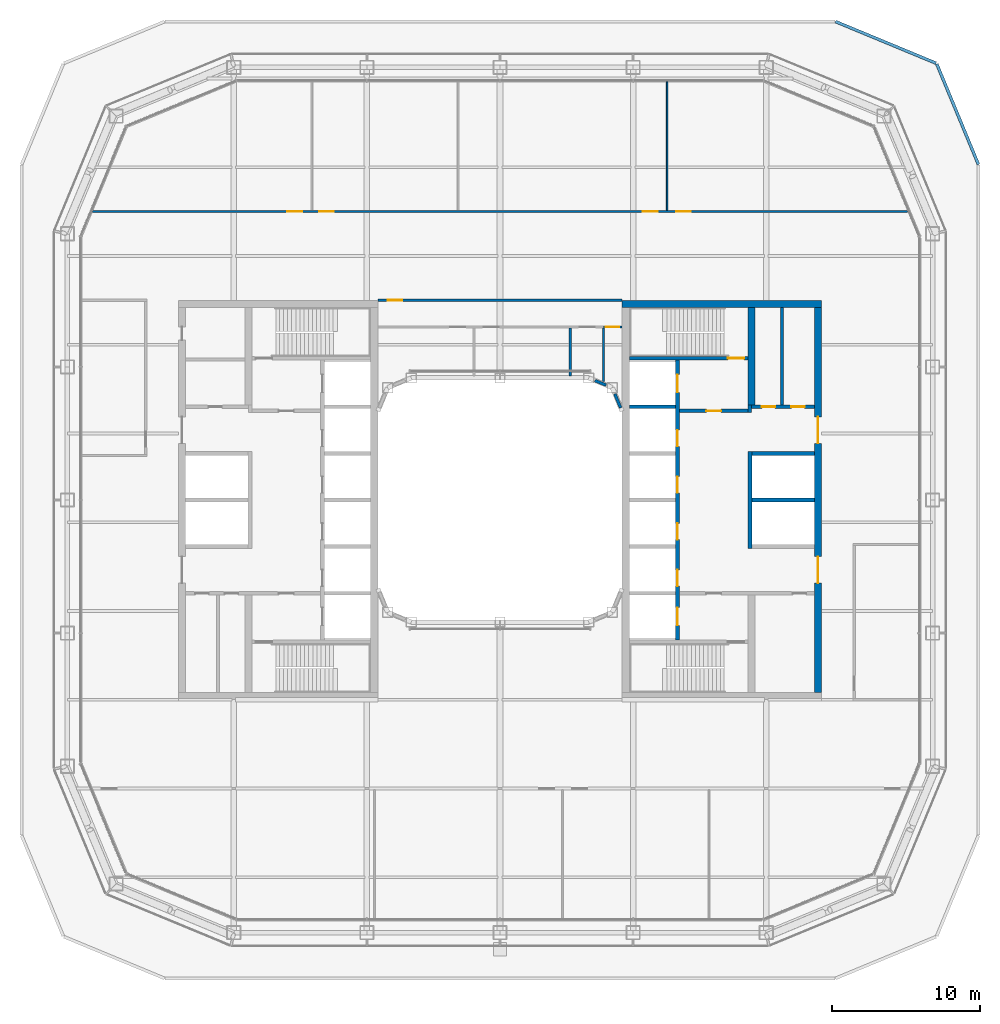
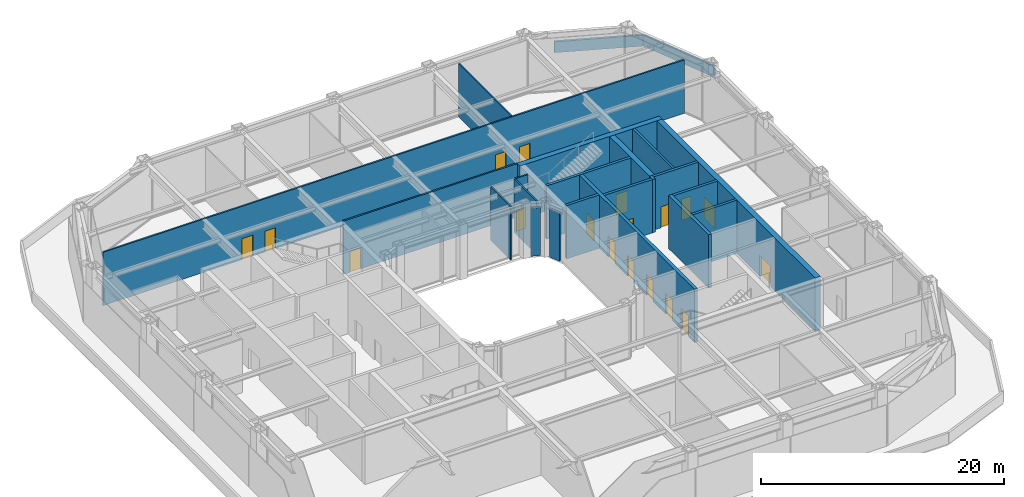
# One storey, part 13 of 21: 23 walls, 18 doors, 18 openings.
"""IFC4 building model written with IfcOpenShell, lengths in metres."""

from ifc_helpers import new_model, si_unit, direction, frame, frame_2d, origin, place, context, subcontext, project, spatial, rectangle, extrude, material, layer, layer_set, type_object, element, fill, save


model = new_model("IFC4")

# Units and contexts
model_context = context("Model", 3, precision=1e-05, world=origin(), true_north=direction((0.0, 1.0)))
body_context = subcontext(model_context, "Body", "Model", "MODEL_VIEW")
ifc_project = project(units=[si_unit("LENGTHUNIT", "METRE"), si_unit("AREAUNIT", "SQUARE_METRE"), si_unit("VOLUMEUNIT", "CUBIC_METRE"), si_unit("PLANEANGLEUNIT", "RADIAN"), si_unit("MASSUNIT", "GRAM", prefix="KILO")], contexts=[model_context])

# Site, building, storey
site_placement = place(None, origin())
site = spatial("IfcSite", under=ifc_project, at=site_placement, CompositionType="ELEMENT")
building_placement = place(site_placement, origin())
building = spatial("IfcBuilding", under=site, at=building_placement, Name="Siwar Civic Tower", CompositionType="ELEMENT")
storey_placement = place(building_placement, frame((0.0, 0.0, 99.199951171875)))
storey = spatial("IfcBuildingStorey", under=building, at=storey_placement, Name="L21", CompositionType="ELEMENT", Elevation=99.199951171875)

# Wall, opening, door
ifc_material_1 = material(Name="Gypsum board on steel studs", Category="steel")
ifc_layer_1 = layer(ifc_material_1, 0.14990234375)
ifc_layer_set_1 = layer_set([ifc_layer_1], Name="Gypsum board on steel studs")
wall_type_1 = type_object("IfcWallType", Name="COMPARTMENT PARTITION 150 EI 60", PredefinedType="PARTITIONING", material=ifc_layer_set_1)
wall_1_placement = place(storey_placement, frame((7.0, 11.699951171875, 0.0), z_axis=(0.0, 0.0, 1.0), x_axis=(1.0, 0.0, 0.0)))
wall_1 = element("IfcWall", 1, at=wall_1_placement, inside=storey, type_object=wall_type_1, Name="L21/wall/P06", PredefinedType="PARTITIONING", context=body_context, shape_type="SweptSolid", body=[
    extrude(rectangle(XDim=1.25, YDim=0.14990234375, at=frame_2d((0.625, 0.0))), origin(), (0.0, 0.0, 1.0), 5.35009765625),
])
opening_1_placement = place(wall_1_placement, frame((0.14990234375, 0.0, 0.0)))
opening_1 = element("IfcOpeningElement", 2, at=opening_1_placement, cuts=wall_1, Name="Opening D4", PredefinedType="OPENING", context=body_context, shape_type="SweptSolid", body=[
    extrude(rectangle(XDim=0.89990234375, YDim=2.10009765625, at=frame_2d((0.449951171875, 1.050048828125))), frame((0.0, 0.0849609375, 0.0), z_axis=(0.0, -1.0, 0.0), x_axis=(1.0, 0.0, 0.0)), (0.0, 0.0, 1.0), 0.169921875),
])
ifc_material_2 = material(Name="Timber, painted", Category="wood")
door_type_1 = type_object("IfcDoorType", Name="DOOR 900 X 2100 FD60", OperationType="SINGLE_SWING_LEFT", PredefinedType="DOOR", material=ifc_material_2)
door_1_placement = place(opening_1_placement, origin())
door_1 = element("IfcDoor", 3, at=door_1_placement, inside=storey, type_object=door_type_1, Name="L21-D13", OperationType="SINGLE_SWING_LEFT", OverallHeight=2.10009765625, OverallWidth=0.89990234375, PredefinedType="DOOR", context=body_context, shape_type="SweptSolid", body=[
    extrude(rectangle(XDim=0.89990234375, YDim=2.10009765625, at=frame_2d((0.449951171875, 1.050048828125))), frame((0.0, 0.02490234375, 0.0), z_axis=(0.0, -1.0, 0.0), x_axis=(1.0, 0.0, 0.0)), (0.0, 0.0, 1.0), 0.050048828125),
])
fill(opening_1, door_1)

# Walls
wall_2_placement = place(storey_placement, frame((7.0, 8.0, 0.0), z_axis=(0.0, 0.0, 1.0), x_axis=(0.0, 1.0, 0.0)))
element("IfcWall", 4, at=wall_2_placement, inside=storey, type_object=wall_type_1, Name="L21/wall/P17", PredefinedType="PARTITIONING", context=body_context, shape_type="SweptSolid", body=[
    extrude(rectangle(XDim=3.625, YDim=0.14990234375, at=frame_2d((1.8125, 0.0))), origin(), (0.0, 0.0, 1.0), 5.35009765625),
])
ifc_material_3 = material(Name="Gypsum board on steel studs", Category="steel")
ifc_layer_2 = layer(ifc_material_3, 0.199951171875)
ifc_layer_set_2 = layer_set([ifc_layer_2], Name="Gypsum board on steel studs")
wall_type_2 = type_object("IfcWallType", Name="CORE-PARTITION-200", PredefinedType="PARTITIONING", material=ifc_layer_set_2)
wall_3_placement = place(storey_placement, frame((19.050048828125, 6.425048828125, 0.0), z_axis=(0.0, 0.0, 1.0), x_axis=(0.0, 1.0, 0.0)))
element("IfcWall", 5, at=wall_3_placement, inside=storey, type_object=wall_type_2, Name="Core partition E", PredefinedType="PARTITIONING", context=body_context, shape_type="SweptSolid", body=[
    extrude(rectangle(XDim=6.574951171875, YDim=0.199951171875, at=frame_2d((3.28759765625, 0.0))), origin(), (0.0, 0.0, 1.0), 5.35009765625),
])

# Wall, opening, door
ifc_material_4 = material(Name="Concrete C60/75", Category="concrete")
ifc_layer_3 = layer(ifc_material_4, 0.25)
ifc_layer_set_3 = layer_set([ifc_layer_3], Name="Concrete C60/75")
wall_type_3 = type_object("IfcWallType", Name="CORE-WALL-RC250", PredefinedType="SHEAR", material=ifc_layer_set_3)
wall_4_placement = place(storey_placement, frame((12.14990234375, 6.02490234375, 0.0), z_axis=(0.0, 0.0, 1.0), x_axis=(1.0, 0.0, 0.0)))
wall_4 = element("IfcWall", 6, at=wall_4_placement, inside=storey, type_object=wall_type_3, Name="Core wall E", PredefinedType="SHEAR", context=body_context, shape_type="SweptSolid", body=[
    extrude(rectangle(XDim=4.60009765625, YDim=0.25, at=frame_2d((2.300048828125, 0.0))), origin(), (0.0, 0.0, 1.0), 5.35009765625),
])
opening_2_placement = place(wall_4_placement, frame((1.800048828125, 0.0, 0.0)))
opening_2 = element("IfcOpeningElement", 7, at=opening_2_placement, cuts=wall_4, Name="Opening L21-CE01", PredefinedType="OPENING", context=body_context, shape_type="SweptSolid", body=[
    extrude(rectangle(XDim=1.0, YDim=2.10009765625, at=frame_2d((0.5, 1.050048828125))), frame((0.0, 0.135009765625, 0.0), z_axis=(0.0, -1.0, 0.0), x_axis=(1.0, 0.0, 0.0)), (0.0, 0.0, 1.0), 0.27001953125),
])
ifc_material_5 = material(Name="Steel door leaf", Category="steel")
door_type_2 = type_object("IfcDoorType", Name="CORE-DOOR-FD30S", OperationType="SINGLE_SWING_LEFT", PredefinedType="DOOR", material=ifc_material_5)
door_2_placement = place(opening_2_placement, origin())
door_2 = element("IfcDoor", 8, at=door_2_placement, inside=storey, type_object=door_type_2, Name="Firefighting lobby door L21-CE01", OperationType="SINGLE_SWING_RIGHT", OverallHeight=2.10009765625, OverallWidth=1.0, PredefinedType="DOOR", context=body_context, shape_type="SweptSolid", body=[
    extrude(rectangle(XDim=1.0, YDim=2.10009765625, at=frame_2d((0.5, 1.050048828125))), frame((0.0, 0.02490234375, 0.0), z_axis=(0.0, -1.0, 0.0), x_axis=(1.0, 0.0, 0.0)), (0.0, 0.0, 1.0), 0.050048828125),
])
fill(opening_2, door_2)

# Wall
wall_5_placement = place(storey_placement, frame((16.875, 5.89990234375, 0.0), z_axis=(0.0, 0.0, 1.0), x_axis=(0.0, 1.0, 0.0)))
element("IfcWall", 9, at=wall_5_placement, inside=storey, type_object=wall_type_3, Name="Core wall E", PredefinedType="SHEAR", context=body_context, shape_type="SweptSolid", body=[
    extrude(rectangle(XDim=0.525146484375, YDim=0.25, at=frame_2d((0.2626953125, 0.0))), origin(), (0.0, 0.0, 1.0), 5.35009765625),
])

# Wall, openings, doors
wall_6_placement = place(storey_placement, frame((17.0, 6.300048828125, 0.0), z_axis=(0.0, 0.0, 1.0), x_axis=(1.0, 0.0, 0.0)))
wall_6 = element("IfcWall", 10, at=wall_6_placement, inside=storey, type_object=wall_type_3, Name="Core wall E", PredefinedType="SHEAR", context=body_context, shape_type="SweptSolid", body=[
    extrude(rectangle(XDim=4.25, YDim=0.25, at=frame_2d((2.125, 0.0))), origin(), (0.0, 0.0, 1.0), 5.35009765625),
])
opening_3_placement = place(wall_6_placement, frame((0.699951171875, 0.0, 0.0)))
opening_3 = element("IfcOpeningElement", 11, at=opening_3_placement, cuts=wall_6, Name="Opening L21-CE13", PredefinedType="OPENING", context=body_context, shape_type="SweptSolid", body=[
    extrude(rectangle(XDim=0.89990234375, YDim=2.10009765625, at=frame_2d((0.449951171875, 1.050048828125))), frame((0.0, 0.135009765625, 0.0), z_axis=(0.0, -1.0, 0.0), x_axis=(1.0, 0.0, 0.0)), (0.0, 0.0, 1.0), 0.27001953125),
])
opening_4_placement = place(wall_6_placement, frame((2.699951171875, 0.0, 0.0)))
opening_4 = element("IfcOpeningElement", 12, at=opening_4_placement, cuts=wall_6, Name="Opening L21-CE14", PredefinedType="OPENING", context=body_context, shape_type="SweptSolid", body=[
    extrude(rectangle(XDim=0.89990234375, YDim=2.10009765625, at=frame_2d((0.449951171875, 1.050048828125))), frame((0.0, 0.135009765625, 0.0), z_axis=(0.0, -1.0, 0.0), x_axis=(1.0, 0.0, 0.0)), (0.0, 0.0, 1.0), 0.27001953125),
])
ifc_material_6 = material(Name="Steel door leaf", Category="steel")
door_type_3 = type_object("IfcDoorType", Name="CORE-DOOR-ROOM", OperationType="SINGLE_SWING_LEFT", PredefinedType="DOOR", material=ifc_material_6)
door_3_placement = place(opening_3_placement, origin())
door_3 = element("IfcDoor", 13, at=door_3_placement, inside=storey, type_object=door_type_3, Name="Core room door L21-CE13", OperationType="SINGLE_SWING_LEFT", OverallHeight=2.10009765625, OverallWidth=0.89990234375, PredefinedType="DOOR", context=body_context, shape_type="SweptSolid", body=[
    extrude(rectangle(XDim=0.89990234375, YDim=2.10009765625, at=frame_2d((0.449951171875, 1.050048828125))), frame((0.0, 0.02490234375, 0.0), z_axis=(0.0, -1.0, 0.0), x_axis=(1.0, 0.0, 0.0)), (0.0, 0.0, 1.0), 0.050048828125),
])
fill(opening_3, door_3)
door_4_placement = place(opening_4_placement, origin())
door_4 = element("IfcDoor", 14, at=door_4_placement, inside=storey, type_object=door_type_3, Name="Core room door L21-CE14", OperationType="SINGLE_SWING_RIGHT", OverallHeight=2.10009765625, OverallWidth=0.89990234375, PredefinedType="DOOR", context=body_context, shape_type="SweptSolid", body=[
    extrude(rectangle(XDim=0.89990234375, YDim=2.10009765625, at=frame_2d((0.449951171875, 1.050048828125))), frame((0.0, 0.02490234375, 0.0), z_axis=(0.0, -1.0, 0.0), x_axis=(1.0, 0.0, 0.0)), (0.0, 0.0, 1.0), 0.050048828125),
])
fill(opening_4, door_4)

# Walls
for number, where, z_axis, x_axis, name in (
    (15, (17.050048828125, 0.0, 0.0), (0.0, 0.0, 1.0), (1.0, 0.0, 0.0), "Core wall E"),
    (16, (17.050048828125, 3.14990234375, 0.0), (0.0, 0.0, 1.0), (1.0, 0.0, 0.0), "Core wall E"),
):
    element("IfcWall", number, at=place(storey_placement, frame(where, z_axis=z_axis, x_axis=x_axis)), inside=storey, type_object=wall_type_3, Name=name, PredefinedType="SHEAR", context=body_context, shape_type="SweptSolid", body=[
        extrude(rectangle(XDim=4.199951171875, YDim=0.25, at=frame_2d((2.10009765625, 0.0))), origin(), (0.0, 0.0, 1.0), 5.35009765625),
    ])
wall_7_placement = place(storey_placement, frame((8.75, 6.300048828125, 0.0), z_axis=(0.0, 0.0, 1.0), x_axis=(1.0, 0.0, 0.0)))
element("IfcWall", 17, at=wall_7_placement, inside=storey, type_object=wall_type_3, Name="Core wall E", PredefinedType="SHEAR", context=body_context, shape_type="SweptSolid", body=[
    extrude(rectangle(XDim=3.10009765625, YDim=0.25, at=frame_2d((1.550048828125, 0.0))), origin(), (0.0, 0.0, 1.0), 5.35009765625),
])

# Wall, opening, door
wall_8_placement = place(storey_placement, frame((8.75, 9.574951171875, 0.0), z_axis=(0.0, 0.0, 1.0), x_axis=(1.0, 0.0, 0.0)))
wall_8 = element("IfcWall", 18, at=wall_8_placement, inside=storey, type_object=wall_type_3, Name="Core wall E", PredefinedType="SHEAR", context=body_context, shape_type="SweptSolid", body=[
    extrude(rectangle(XDim=8.0, YDim=0.25, at=frame_2d((4.0, 0.0))), origin(), (0.0, 0.0, 1.0), 5.35009765625),
])
opening_5_placement = place(wall_8_placement, frame((6.64990234375, 0.0, 0.0)))
opening_5 = element("IfcOpeningElement", 19, at=opening_5_placement, cuts=wall_8, Name="Opening L21-CE03", PredefinedType="OPENING", context=body_context, shape_type="SweptSolid", body=[
    extrude(rectangle(XDim=1.10009765625, YDim=2.10009765625, at=frame_2d((0.550048828125, 1.050048828125))), frame((0.0, 0.135009765625, 0.0), z_axis=(0.0, -1.0, 0.0), x_axis=(1.0, 0.0, 0.0)), (0.0, 0.0, 1.0), 0.27001953125),
])
ifc_material_7 = material(Name="Steel door leaf", Category="steel")
door_type_4 = type_object("IfcDoorType", Name="CORE-DOOR-FD60S", OperationType="SINGLE_SWING_LEFT", PredefinedType="DOOR", material=ifc_material_7)
door_5_placement = place(opening_5_placement, origin())
door_5 = element("IfcDoor", 20, at=door_5_placement, inside=storey, type_object=door_type_4, Name="Stair door L21-CE03", OperationType="SINGLE_SWING_LEFT", OverallHeight=2.10009765625, OverallWidth=1.10009765625, PredefinedType="DOOR", context=body_context, shape_type="SweptSolid", body=[
    extrude(rectangle(XDim=1.10009765625, YDim=2.10009765625, at=frame_2d((0.550048828125, 1.050048828125))), frame((0.0, 0.02490234375, 0.0), z_axis=(0.0, -1.0, 0.0), x_axis=(1.0, 0.0, 0.0)), (0.0, 0.0, 1.0), 0.050048828125),
])
fill(opening_5, door_5)

# Wall, openings, doors
ifc_material_8 = material(Name="Concrete C60/75", Category="concrete")
ifc_layer_4 = layer(ifc_material_8, 0.300048828125)
ifc_layer_set_4 = layer_set([ifc_layer_4], Name="Concrete C60/75")
wall_type_4 = type_object("IfcWallType", Name="CORE-WALL-RC300", PredefinedType="SHEAR", material=ifc_layer_set_4)
wall_9_placement = place(storey_placement, frame((12.0, -9.449951171875, 0.0), z_axis=(0.0, 0.0, 1.0), x_axis=(0.0, 1.0, 0.0)))
wall_9 = element("IfcWall", 21, at=wall_9_placement, inside=storey, type_object=wall_type_4, Name="Core wall E", PredefinedType="SHEAR", context=body_context, shape_type="SweptSolid", body=[
    extrude(rectangle(XDim=18.89990234375, YDim=0.300048828125, at=frame_2d((9.449951171875, 0.0))), origin(), (0.0, 0.0, 1.0), 5.35009765625),
])
opening_6_placement = place(wall_9_placement, frame((3.625, 0.0, 0.0)))
opening_6 = element("IfcOpeningElement", 22, at=opening_6_placement, cuts=wall_9, Name="Opening L21-CE07", PredefinedType="OPENING", context=body_context, shape_type="SweptSolid", body=[
    extrude(rectangle(XDim=1.10009765625, YDim=2.10009765625, at=frame_2d((0.550048828125, 1.050048828125))), frame((0.0, 0.16015625, 0.0), z_axis=(0.0, -1.0, 0.0), x_axis=(1.0, 0.0, 0.0)), (0.0, 0.0, 1.0), 0.320068359375),
])
opening_7_placement = place(wall_9_placement, frame((6.77490234375, 0.0, 0.0)))
opening_7 = element("IfcOpeningElement", 23, at=opening_7_placement, cuts=wall_9, Name="Opening L21-CE08", PredefinedType="OPENING", context=body_context, shape_type="SweptSolid", body=[
    extrude(rectangle(XDim=1.10009765625, YDim=2.10009765625, at=frame_2d((0.550048828125, 1.050048828125))), frame((0.0, 0.16015625, 0.0), z_axis=(0.0, -1.0, 0.0), x_axis=(1.0, 0.0, 0.0)), (0.0, 0.0, 1.0), 0.320068359375),
])
opening_8_placement = place(wall_9_placement, frame((9.925048828125, 0.0, 0.0)))
opening_8 = element("IfcOpeningElement", 24, at=opening_8_placement, cuts=wall_9, Name="Opening L21-CE09", PredefinedType="OPENING", context=body_context, shape_type="SweptSolid", body=[
    extrude(rectangle(XDim=1.10009765625, YDim=2.10009765625, at=frame_2d((0.550048828125, 1.050048828125))), frame((0.0, 0.16015625, 0.0), z_axis=(0.0, -1.0, 0.0), x_axis=(1.0, 0.0, 0.0)), (0.0, 0.0, 1.0), 0.320068359375),
])
opening_9_placement = place(wall_9_placement, frame((13.074951171875, 0.0, 0.0)))
opening_9 = element("IfcOpeningElement", 25, at=opening_9_placement, cuts=wall_9, Name="Opening L21-CE10", PredefinedType="OPENING", context=body_context, shape_type="SweptSolid", body=[
    extrude(rectangle(XDim=1.10009765625, YDim=2.10009765625, at=frame_2d((0.550048828125, 1.050048828125))), frame((0.0, 0.16015625, 0.0), z_axis=(0.0, -1.0, 0.0), x_axis=(1.0, 0.0, 0.0)), (0.0, 0.0, 1.0), 0.320068359375),
])
opening_10_placement = place(wall_9_placement, frame((16.72509765625, 0.0, 0.0)))
opening_10 = element("IfcOpeningElement", 26, at=opening_10_placement, cuts=wall_9, Name="Opening L21-CE11", PredefinedType="OPENING", context=body_context, shape_type="SweptSolid", body=[
    extrude(rectangle(XDim=1.199951171875, YDim=2.10009765625, at=frame_2d((0.60009765625, 1.050048828125))), frame((0.0, 0.16015625, 0.0), z_axis=(0.0, -1.0, 0.0), x_axis=(1.0, 0.0, 0.0)), (0.0, 0.0, 1.0), 0.320068359375),
])
opening_11_placement = place(wall_9_placement, frame((0.97509765625, 0.0, 0.0)))
opening_11 = element("IfcOpeningElement", 27, at=opening_11_placement, cuts=wall_9, Name="Opening L21-CE12", PredefinedType="OPENING", context=body_context, shape_type="SweptSolid", body=[
    extrude(rectangle(XDim=1.199951171875, YDim=2.10009765625, at=frame_2d((0.60009765625, 1.050048828125))), frame((0.0, 0.16015625, 0.0), z_axis=(0.0, -1.0, 0.0), x_axis=(1.0, 0.0, 0.0)), (0.0, 0.0, 1.0), 0.320068359375),
])
ifc_material_9 = material(Name="Steel door leaf", Category="steel")
door_type_5 = type_object("IfcDoorType", Name="CORE-DOOR-LD", OperationType="DOUBLE_DOOR_SLIDING", PredefinedType="DOOR", material=ifc_material_9)
door_6_placement = place(opening_6_placement, origin())
door_6 = element("IfcDoor", 28, at=door_6_placement, inside=storey, type_object=door_type_5, Name="Landing door LR5 L21-CE07", OperationType="DOUBLE_DOOR_SLIDING", OverallHeight=2.10009765625, OverallWidth=1.10009765625, PredefinedType="DOOR", context=body_context, shape_type="SweptSolid", body=[
    extrude(rectangle(XDim=1.10009765625, YDim=2.10009765625, at=frame_2d((0.550048828125, 1.050048828125))), frame((0.0, 0.02490234375, 0.0), z_axis=(0.0, -1.0, 0.0), x_axis=(1.0, 0.0, 0.0)), (0.0, 0.0, 1.0), 0.050048828125),
])
fill(opening_6, door_6)
door_7_placement = place(opening_7_placement, origin())
door_7 = element("IfcDoor", 29, at=door_7_placement, inside=storey, type_object=door_type_5, Name="Landing door LR6 L21-CE08", OperationType="DOUBLE_DOOR_SLIDING", OverallHeight=2.10009765625, OverallWidth=1.10009765625, PredefinedType="DOOR", context=body_context, shape_type="SweptSolid", body=[
    extrude(rectangle(XDim=1.10009765625, YDim=2.10009765625, at=frame_2d((0.550048828125, 1.050048828125))), frame((0.0, 0.02490234375, 0.0), z_axis=(0.0, -1.0, 0.0), x_axis=(1.0, 0.0, 0.0)), (0.0, 0.0, 1.0), 0.050048828125),
])
fill(opening_7, door_7)
door_8_placement = place(opening_8_placement, origin())
door_8 = element("IfcDoor", 30, at=door_8_placement, inside=storey, type_object=door_type_5, Name="Landing door LR7 L21-CE09", OperationType="DOUBLE_DOOR_SLIDING", OverallHeight=2.10009765625, OverallWidth=1.10009765625, PredefinedType="DOOR", context=body_context, shape_type="SweptSolid", body=[
    extrude(rectangle(XDim=1.10009765625, YDim=2.10009765625, at=frame_2d((0.550048828125, 1.050048828125))), frame((0.0, 0.02490234375, 0.0), z_axis=(0.0, -1.0, 0.0), x_axis=(1.0, 0.0, 0.0)), (0.0, 0.0, 1.0), 0.050048828125),
])
fill(opening_8, door_8)
door_9_placement = place(opening_9_placement, origin())
door_9 = element("IfcDoor", 31, at=door_9_placement, inside=storey, type_object=door_type_5, Name="Landing door LR8 L21-CE10", OperationType="DOUBLE_DOOR_SLIDING", OverallHeight=2.10009765625, OverallWidth=1.10009765625, PredefinedType="DOOR", context=body_context, shape_type="SweptSolid", body=[
    extrude(rectangle(XDim=1.10009765625, YDim=2.10009765625, at=frame_2d((0.550048828125, 1.050048828125))), frame((0.0, 0.02490234375, 0.0), z_axis=(0.0, -1.0, 0.0), x_axis=(1.0, 0.0, 0.0)), (0.0, 0.0, 1.0), 0.050048828125),
])
fill(opening_9, door_9)
ifc_material_10 = material(Name="Steel door leaf", Category="steel")
door_type_6 = type_object("IfcDoorType", Name="CORE-DOOR-LDW", OperationType="DOUBLE_DOOR_SLIDING", PredefinedType="DOOR", material=ifc_material_10)
door_10_placement = place(opening_10_placement, origin())
door_10 = element("IfcDoor", 32, at=door_10_placement, inside=storey, type_object=door_type_6, Name="Landing door FF2 L21-CE11", OperationType="DOUBLE_DOOR_SLIDING", OverallHeight=2.10009765625, OverallWidth=1.199951171875, PredefinedType="DOOR", context=body_context, shape_type="SweptSolid", body=[
    extrude(rectangle(XDim=1.199951171875, YDim=2.10009765625, at=frame_2d((0.60009765625, 1.050048828125))), frame((0.0, 0.02490234375, 0.0), z_axis=(0.0, -1.0, 0.0), x_axis=(1.0, 0.0, 0.0)), (0.0, 0.0, 1.0), 0.050048828125),
])
fill(opening_10, door_10)
door_11_placement = place(opening_11_placement, origin())
door_11 = element("IfcDoor", 33, at=door_11_placement, inside=storey, type_object=door_type_6, Name="Landing door SV2 L21-CE12", OperationType="DOUBLE_DOOR_SLIDING", OverallHeight=2.10009765625, OverallWidth=1.199951171875, PredefinedType="DOOR", context=body_context, shape_type="SweptSolid", body=[
    extrude(rectangle(XDim=1.199951171875, YDim=2.10009765625, at=frame_2d((0.60009765625, 1.050048828125))), frame((0.0, 0.02490234375, 0.0), z_axis=(0.0, -1.0, 0.0), x_axis=(1.0, 0.0, 0.0)), (0.0, 0.0, 1.0), 0.050048828125),
])
fill(opening_11, door_11)

# Wall
wall_10_placement = place(storey_placement, frame((16.89990234375, -3.27490234375, 0.0), z_axis=(0.0, 0.0, 1.0), x_axis=(0.0, 1.0, 0.0)))
element("IfcWall", 34, at=wall_10_placement, inside=storey, type_object=wall_type_4, Name="Core wall E", PredefinedType="SHEAR", context=body_context, shape_type="SweptSolid", body=[
    extrude(rectangle(XDim=6.5498046875, YDim=0.300048828125, at=frame_2d((3.27490234375, 0.0))), origin(), (0.0, 0.0, 1.0), 5.35009765625),
])

# Wall, openings, doors
ifc_material_11 = material(Name="Concrete C60/75", Category="concrete")
ifc_layer_5 = layer(ifc_material_11, 0.5)
ifc_layer_set_5 = layer_set([ifc_layer_5], Name="Concrete C60/75")
wall_type_5 = type_object("IfcWallType", Name="CORE-WALL-RC500", PredefinedType="SHEAR", material=ifc_layer_set_5)
wall_11_placement = place(storey_placement, frame((21.5, -13.0, 0.0), z_axis=(0.0, 0.0, 1.0), x_axis=(0.0, 1.0, 0.0)))
wall_11 = element("IfcWall", 35, at=wall_11_placement, inside=storey, type_object=wall_type_5, Name="Core wall E", PredefinedType="SHEAR", context=body_context, shape_type="SweptSolid", body=[
    extrude(rectangle(XDim=26.0, YDim=0.5, at=frame_2d((13.0, 0.0))), origin(), (0.0, 0.0, 1.0), 5.35009765625),
])
opening_12_placement = place(wall_11_placement, frame((16.824951171875, 0.0, 0.0)))
opening_12 = element("IfcOpeningElement", 36, at=opening_12_placement, cuts=wall_11, Name="Opening L21-CE05", PredefinedType="OPENING", context=body_context, shape_type="SweptSolid", body=[
    extrude(rectangle(XDim=1.800048828125, YDim=2.10009765625, at=frame_2d((0.89990234375, 1.050048828125))), frame((0.0, 0.260009765625, 0.0), z_axis=(0.0, -1.0, 0.0), x_axis=(1.0, 0.0, 0.0)), (0.0, 0.0, 1.0), 0.52001953125),
])
opening_13_placement = place(wall_11_placement, frame((7.375, 0.0, 0.0)))
opening_13 = element("IfcOpeningElement", 37, at=opening_13_placement, cuts=wall_11, Name="Opening L21-CE06", PredefinedType="OPENING", context=body_context, shape_type="SweptSolid", body=[
    extrude(rectangle(XDim=1.800048828125, YDim=2.10009765625, at=frame_2d((0.89990234375, 1.050048828125))), frame((0.0, 0.260009765625, 0.0), z_axis=(0.0, -1.0, 0.0), x_axis=(1.0, 0.0, 0.0)), (0.0, 0.0, 1.0), 0.52001953125),
])
ifc_material_12 = material(Name="Steel door leaf", Category="steel")
door_type_7 = type_object("IfcDoorType", Name="CORE-DOOR-PORT", OperationType="DOUBLE_DOOR_DOUBLE_SWING", PredefinedType="DOOR", material=ifc_material_12)
door_12_placement = place(opening_12_placement, origin())
door_12 = element("IfcDoor", 38, at=door_12_placement, inside=storey, type_object=door_type_7, Name="Core entrance door L21-CE05", OperationType="DOUBLE_DOOR_DOUBLE_SWING", OverallHeight=2.10009765625, OverallWidth=1.800048828125, PredefinedType="DOOR", context=body_context, shape_type="SweptSolid", body=[
    extrude(rectangle(XDim=1.800048828125, YDim=2.10009765625, at=frame_2d((0.89990234375, 1.050048828125))), frame((0.0, 0.02490234375, 0.0), z_axis=(0.0, -1.0, 0.0), x_axis=(1.0, 0.0, 0.0)), (0.0, 0.0, 1.0), 0.050048828125),
])
fill(opening_12, door_12)
door_13_placement = place(opening_13_placement, origin())
door_13 = element("IfcDoor", 39, at=door_13_placement, inside=storey, type_object=door_type_7, Name="Core entrance door L21-CE06", OperationType="DOUBLE_DOOR_DOUBLE_SWING", OverallHeight=2.10009765625, OverallWidth=1.800048828125, PredefinedType="DOOR", context=body_context, shape_type="SweptSolid", body=[
    extrude(rectangle(XDim=1.800048828125, YDim=2.10009765625, at=frame_2d((0.89990234375, 1.050048828125))), frame((0.0, 0.02490234375, 0.0), z_axis=(0.0, -1.0, 0.0), x_axis=(1.0, 0.0, 0.0)), (0.0, 0.0, 1.0), 0.050048828125),
])
fill(opening_13, door_13)

# Walls
wall_12_placement = place(storey_placement, frame((17.0, 6.425048828125, 0.0), z_axis=(0.0, 0.0, 1.0), x_axis=(0.0, 1.0, 0.0)))
element("IfcWall", 40, at=wall_12_placement, inside=storey, type_object=wall_type_5, Name="Core wall E", PredefinedType="SHEAR", context=body_context, shape_type="SweptSolid", body=[
    extrude(rectangle(XDim=6.574951171875, YDim=0.5, at=frame_2d((3.28759765625, 0.0))), origin(), (0.0, 0.0, 1.0), 5.35009765625),
])
wall_13_placement = place(storey_placement, frame((8.25, 13.25, 0.0), z_axis=(0.0, 0.0, 1.0), x_axis=(1.0, 0.0, 0.0)))
element("IfcWall", 41, at=wall_13_placement, inside=storey, type_object=wall_type_5, Name="Core wall E", PredefinedType="SHEAR", context=body_context, shape_type="SweptSolid", body=[
    extrude(rectangle(XDim=13.5, YDim=0.5, at=frame_2d((6.75, 0.0))), origin(), (0.0, 0.0, 1.0), 5.35009765625),
])

# Wall, opening, door
ifc_material_13 = material(Name="Gypsum board on steel studs", Category="steel")
ifc_layer_6 = layer(ifc_material_13, 0.14990234375)
ifc_layer_set_6 = layer_set([ifc_layer_6], Name="Gypsum board on steel studs")
wall_type_6 = type_object("IfcWallType", Name="CORRIDOR PARTITION 150 EI 30", PredefinedType="PARTITIONING", material=ifc_layer_set_6)
wall_14_placement = place(storey_placement, frame((-8.25, 13.5, 0.0), z_axis=(0.0, 0.0, 1.0), x_axis=(1.0, 0.0, 0.0)))
wall_14 = element("IfcWall", 42, at=wall_14_placement, inside=storey, type_object=wall_type_6, Name="L21/wall/P08", PredefinedType="PARTITIONING", context=body_context, shape_type="SweptSolid", body=[
    extrude(rectangle(XDim=16.5, YDim=0.14990234375, at=frame_2d((8.25, 0.0))), origin(), (0.0, 0.0, 1.0), 5.35009765625),
])
opening_14_placement = place(wall_14_placement, frame((0.64990234375, 0.0, 0.0)))
opening_14 = element("IfcOpeningElement", 43, at=opening_14_placement, cuts=wall_14, Name="Opening D1", PredefinedType="OPENING", context=body_context, shape_type="SweptSolid", body=[
    extrude(rectangle(XDim=1.0, YDim=2.10009765625, at=frame_2d((0.5, 1.050048828125))), frame((0.0, 0.0849609375, 0.0), z_axis=(0.0, -1.0, 0.0), x_axis=(1.0, 0.0, 0.0)), (0.0, 0.0, 1.0), 0.169921875),
])
ifc_material_14 = material(Name="Timber, painted", Category="wood")
door_type_8 = type_object("IfcDoorType", Name="DOOR 1000 X 2100 FD30", OperationType="SINGLE_SWING_LEFT", PredefinedType="DOOR", material=ifc_material_14)
door_14_placement = place(opening_14_placement, origin())
door_14 = element("IfcDoor", 44, at=door_14_placement, inside=storey, type_object=door_type_8, Name="L21-D09", OperationType="SINGLE_SWING_LEFT", OverallHeight=2.10009765625, OverallWidth=1.0, PredefinedType="DOOR", context=body_context, shape_type="SweptSolid", body=[
    extrude(rectangle(XDim=1.0, YDim=2.10009765625, at=frame_2d((0.5, 1.050048828125))), frame((0.0, 0.02490234375, 0.0), z_axis=(0.0, -1.0, 0.0), x_axis=(1.0, 0.0, 0.0)), (0.0, 0.0, 1.0), 0.050048828125),
])
fill(opening_14, door_14)

# Wall, openings, doors
wall_15_placement = place(storey_placement, frame((-27.556884765625, 19.5, 0.0), z_axis=(0.0, 0.0, 1.0), x_axis=(1.0, 0.0, 0.0)))
wall_15 = element("IfcWall", 45, at=wall_15_placement, inside=storey, type_object=wall_type_6, Name="L21/wall/P09", PredefinedType="PARTITIONING", context=body_context, shape_type="SweptSolid", body=[
    extrude(rectangle(XDim=55.11376953125, YDim=0.14990234375, at=frame_2d((27.556884765625, 0.0))), origin(), (0.0, 0.0, 1.0), 5.35009765625),
])
opening_15_placement = place(wall_15_placement, frame((13.18701171875, 0.0, 0.0)))
opening_15 = element("IfcOpeningElement", 46, at=opening_15_placement, cuts=wall_15, Name="Opening D1", PredefinedType="OPENING", context=body_context, shape_type="SweptSolid", body=[
    extrude(rectangle(XDim=1.0, YDim=2.10009765625, at=frame_2d((0.5, 1.050048828125))), frame((0.0, 0.0849609375, 0.0), z_axis=(0.0, -1.0, 0.0), x_axis=(1.0, 0.0, 0.0)), (0.0, 0.0, 1.0), 0.169921875),
])
opening_16_placement = place(wall_15_placement, frame((15.326904296875, 0.0, 0.0)))
opening_16 = element("IfcOpeningElement", 47, at=opening_16_placement, cuts=wall_15, Name="Opening D1", PredefinedType="OPENING", context=body_context, shape_type="SweptSolid", body=[
    extrude(rectangle(XDim=1.0, YDim=2.10009765625, at=frame_2d((0.5, 1.050048828125))), frame((0.0, 0.0849609375, 0.0), z_axis=(0.0, -1.0, 0.0), x_axis=(1.0, 0.0, 0.0)), (0.0, 0.0, 1.0), 0.169921875),
])
opening_17_placement = place(wall_15_placement, frame((37.20703125, 0.0, 0.0)))
opening_17 = element("IfcOpeningElement", 48, at=opening_17_placement, cuts=wall_15, Name="Opening D1", PredefinedType="OPENING", context=body_context, shape_type="SweptSolid", body=[
    extrude(rectangle(XDim=1.0, YDim=2.10009765625, at=frame_2d((0.5, 1.050048828125))), frame((0.0, 0.0849609375, 0.0), z_axis=(0.0, -1.0, 0.0), x_axis=(1.0, 0.0, 0.0)), (0.0, 0.0, 1.0), 0.169921875),
])
opening_18_placement = place(wall_15_placement, frame((39.464111328125, 0.0, 0.0)))
opening_18 = element("IfcOpeningElement", 49, at=opening_18_placement, cuts=wall_15, Name="Opening D1", PredefinedType="OPENING", context=body_context, shape_type="SweptSolid", body=[
    extrude(rectangle(XDim=1.0, YDim=2.10009765625, at=frame_2d((0.5, 1.050048828125))), frame((0.0, 0.0849609375, 0.0), z_axis=(0.0, -1.0, 0.0), x_axis=(1.0, 0.0, 0.0)), (0.0, 0.0, 1.0), 0.169921875),
])
door_15_placement = place(opening_15_placement, origin())
door_15 = element("IfcDoor", 50, at=door_15_placement, inside=storey, type_object=door_type_8, Name="L21-D01", OperationType="SINGLE_SWING_LEFT", OverallHeight=2.10009765625, OverallWidth=1.0, PredefinedType="DOOR", context=body_context, shape_type="SweptSolid", body=[
    extrude(rectangle(XDim=1.0, YDim=2.10009765625, at=frame_2d((0.5, 1.050048828125))), frame((0.0, 0.02490234375, 0.0), z_axis=(0.0, -1.0, 0.0), x_axis=(1.0, 0.0, 0.0)), (0.0, 0.0, 1.0), 0.050048828125),
])
fill(opening_15, door_15)
door_16_placement = place(opening_16_placement, origin())
door_16 = element("IfcDoor", 51, at=door_16_placement, inside=storey, type_object=door_type_8, Name="L21-D02", OperationType="SINGLE_SWING_RIGHT", OverallHeight=2.10009765625, OverallWidth=1.0, PredefinedType="DOOR", context=body_context, shape_type="SweptSolid", body=[
    extrude(rectangle(XDim=1.0, YDim=2.10009765625, at=frame_2d((0.5, 1.050048828125))), frame((0.0, 0.02490234375, 0.0), z_axis=(0.0, -1.0, 0.0), x_axis=(1.0, 0.0, 0.0)), (0.0, 0.0, 1.0), 0.050048828125),
])
fill(opening_16, door_16)
door_17_placement = place(opening_17_placement, origin())
door_17 = element("IfcDoor", 52, at=door_17_placement, inside=storey, type_object=door_type_8, Name="L21-D03", OperationType="SINGLE_SWING_LEFT", OverallHeight=2.10009765625, OverallWidth=1.0, PredefinedType="DOOR", context=body_context, shape_type="SweptSolid", body=[
    extrude(rectangle(XDim=1.0, YDim=2.10009765625, at=frame_2d((0.5, 1.050048828125))), frame((0.0, 0.02490234375, 0.0), z_axis=(0.0, -1.0, 0.0), x_axis=(1.0, 0.0, 0.0)), (0.0, 0.0, 1.0), 0.050048828125),
])
fill(opening_17, door_17)
door_18_placement = place(opening_18_placement, origin())
door_18 = element("IfcDoor", 53, at=door_18_placement, inside=storey, type_object=door_type_8, Name="L21-D04", OperationType="SINGLE_SWING_RIGHT", OverallHeight=2.10009765625, OverallWidth=1.0, PredefinedType="DOOR", context=body_context, shape_type="SweptSolid", body=[
    extrude(rectangle(XDim=1.0, YDim=2.10009765625, at=frame_2d((0.5, 1.050048828125))), frame((0.0, 0.02490234375, 0.0), z_axis=(0.0, -1.0, 0.0), x_axis=(1.0, 0.0, 0.0)), (0.0, 0.0, 1.0), 0.050048828125),
])
fill(opening_18, door_18)

# Walls
wall_16_placement = place(storey_placement, frame((4.75, 8.3701171875, 0.0), z_axis=(0.0, 0.0, 1.0), x_axis=(0.0, 1.0, 0.0)))
element("IfcWall", 54, at=wall_16_placement, inside=storey, type_object=wall_type_6, Name="L21/wall/P16", PredefinedType="PARTITIONING", context=body_context, shape_type="SweptSolid", body=[
    extrude(rectangle(XDim=3.2548828125, YDim=0.14990234375, at=frame_2d((1.62744140625, 0.0))), origin(), (0.0, 0.0, 1.0), 5.35009765625),
])
ifc_material_15 = material(Name="Aluminium clad insulated panel", Category="aluminium")
ifc_layer_7 = layer(ifc_material_15, 0.199951171875)
ifc_layer_set_7 = layer_set([ifc_layer_7], Name="Aluminium clad insulated panel")
wall_type_7 = type_object("IfcWallType", Name="ENV-PARAPET", PredefinedType="PARAPET", material=ifc_layer_set_7)
for number, where, z_axis, x_axis, name in (
    (55, (32.34228515625, 22.6875, 0.0), (0.0, 0.0, 1.0), (-0.382682396439, 0.923879961605, 0.0), "Parapet L20 roof 1.6"),
    (56, (29.476318359375, 29.5302734375, 0.0), (0.0, 0.0, 1.0), (-0.923879961605, 0.382682396439, 0.0), "Parapet L20 roof 1.7"),
):
    element("IfcWall", number, at=place(storey_placement, frame(where, z_axis=z_axis, x_axis=x_axis)), inside=storey, type_object=wall_type_7, Name=name, PredefinedType="PARAPET", context=body_context, shape_type="SweptSolid", body=[
        extrude(rectangle(XDim=7.34814453125, YDim=0.199951171875, at=frame_2d((3.674072265625, 0.0))), origin(), (0.0, 0.0, 1.0), 1.10009765625),
    ])
ifc_material_16 = material(Name="Aluminium clad insulated panel", Category="aluminium")
ifc_layer_8 = layer(ifc_material_16, 0.199951171875)
ifc_layer_set_8 = layer_set([ifc_layer_8], Name="Aluminium clad insulated panel")
wall_type_8 = type_object("IfcWallType", Name="ENV-WALL-WELL", PredefinedType="STANDARD", material=ifc_layer_set_8)
wall_17_placement = place(storey_placement, frame((8.154296875, 6.23095703125, 0.0), z_axis=(0.0, 0.0, 1.0), x_axis=(-0.382769662028, 0.923843810301, 0.0)))
element("IfcWall", 57, at=wall_17_placement, inside=storey, type_object=wall_type_8, Name="Light well corner wall NE1", PredefinedType="STANDARD", context=body_context, shape_type="SweptSolid", body=[
    extrude(rectangle(XDim=1.014892578125, YDim=0.199951171875, at=frame_2d((0.50732421875, 0.0))), origin(), (0.0, 0.0, 1.0), 4.825927734375),
])
wall_18_placement = place(storey_placement, frame((7.16845703125, 7.765869140625, 0.0), z_axis=(0.0, 0.0, 1.0), x_axis=(-0.923817771127, 0.382832503518, 0.0)))
element("IfcWall", 58, at=wall_18_placement, inside=storey, type_object=wall_type_8, Name="Light well corner wall NE2", PredefinedType="STANDARD", context=body_context, shape_type="SweptSolid", body=[
    extrude(rectangle(XDim=0.807373046875, YDim=0.199951171875, at=frame_2d((0.40380859375, 0.0))), origin(), (0.0, 0.0, 1.0), 4.825927734375),
])
ifc_material_17 = material(Name="Gypsum board on steel studs", Category="steel")
ifc_layer_9 = layer(ifc_material_17, 0.10009765625)
ifc_layer_set_9 = layer_set([ifc_layer_9], Name="Gypsum board on steel studs")
wall_type_9 = type_object("IfcWallType", Name="PARTITION 100 GYPSUM", PredefinedType="PARTITIONING", material=ifc_layer_set_9)
wall_19_placement = place(storey_placement, frame((11.300048828125, 19.574951171875, 0.0), z_axis=(0.0, 0.0, 1.0), x_axis=(0.0, 1.0, 0.0)))
element("IfcWall", 59, at=wall_19_placement, inside=storey, type_object=wall_type_9, Name="L21/wall/P18", PredefinedType="PARTITIONING", context=body_context, shape_type="SweptSolid", body=[
    extrude(rectangle(XDim=8.68505859375, YDim=0.10009765625, at=frame_2d((4.342529296875, 0.0))), origin(), (0.0, 0.0, 1.0), 5.35009765625),
])

save(model, "model.ifc")
